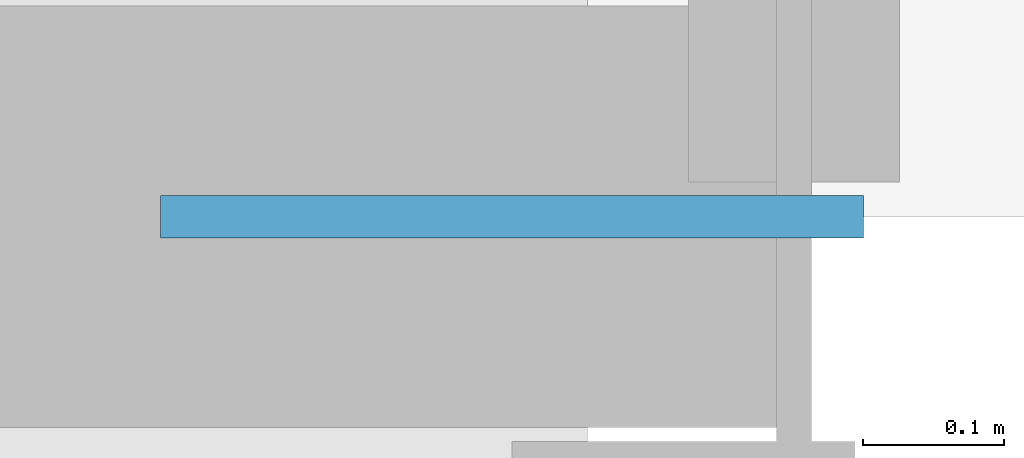
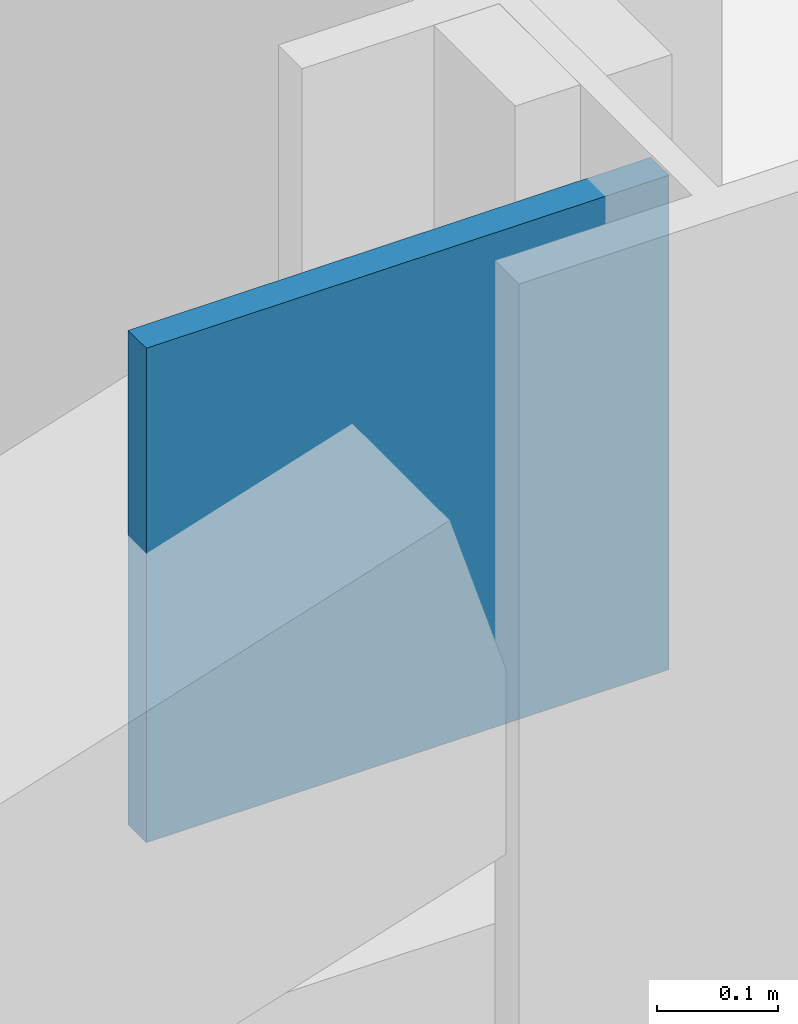
# One storey, part 20 of 29: 1 discrete accessory.
"""IFC4 building model written with IfcOpenShell, lengths in metres."""

from ifc_helpers import new_model, si_unit, direction, frame, origin, origin_2d, place, context, subcontext, project, spatial, rectangle, extrude, material, layer, layer_set, type_object, element, save


model = new_model("IFC4")

# Units and contexts
model_context = context("Model", 3, precision=1e-05, world=origin(), true_north=direction((0.0, 1.0)))
body_context = subcontext(model_context, "Body", "Model", "MODEL_VIEW")
ifc_project = project(units=[si_unit("LENGTHUNIT", "METRE"), si_unit("AREAUNIT", "SQUARE_METRE"), si_unit("VOLUMEUNIT", "CUBIC_METRE"), si_unit("PLANEANGLEUNIT", "RADIAN"), si_unit("MASSUNIT", "GRAM", prefix="KILO")], contexts=[model_context])

# Site, building, storey
site_placement = place(None, origin())
site = spatial("IfcSite", under=ifc_project, at=site_placement, CompositionType="ELEMENT")
building_placement = place(site_placement, origin())
building = spatial("IfcBuilding", under=site, at=building_placement, Name="Mahtab Terrace Research Tower", CompositionType="ELEMENT")
storey_placement = place(building_placement, frame((0.0, 0.0, 197.699951171875)))
storey = spatial("IfcBuildingStorey", under=building, at=storey_placement, Name="L47", CompositionType="ELEMENT", Elevation=197.699951171875)

# Discrete accessory
ifc_material = material(Name="Steel ASTM A992 Gr 50", Category="steel")
ifc_layer = layer(ifc_material, 0.030029296875)
ifc_layer_set = layer_set([ifc_layer], Name="Gusset plate 500x500x30")
discrete_accessory_type = type_object("IfcDiscreteAccessoryType", Name="Gusset plate 500x500x30", PredefinedType="USERDEFINED", material=ifc_layer_set)
discrete_accessory_placement = place(storey_placement, frame((17.79931640625, -23.0, 2.870849609375), z_axis=(0.0, 0.0, 1.0), x_axis=(1.0, 0.0, 0.0)))
element("IfcDiscreteAccessory", 1, at=discrete_accessory_placement, inside=storey, type_object=discrete_accessory_type, Name="Gusset plate", ObjectType="GUSSET PLATE", PredefinedType="USERDEFINED", context=body_context, shape_type="SweptSolid", body=[
    extrude(rectangle(XDim=0.5, YDim=0.030029296875, at=origin_2d()), origin(), (0.0, 0.0, 1.0), 0.5),
])

save(model, "model.ifc")
